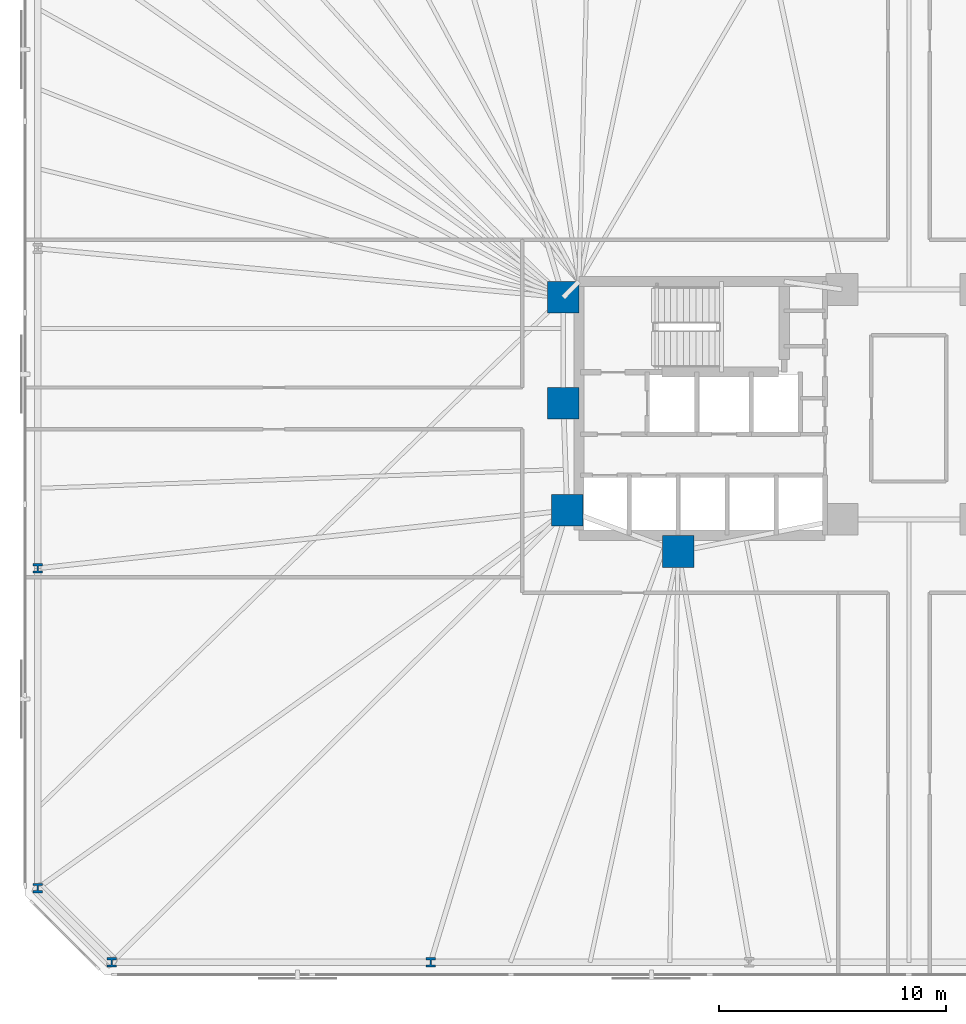
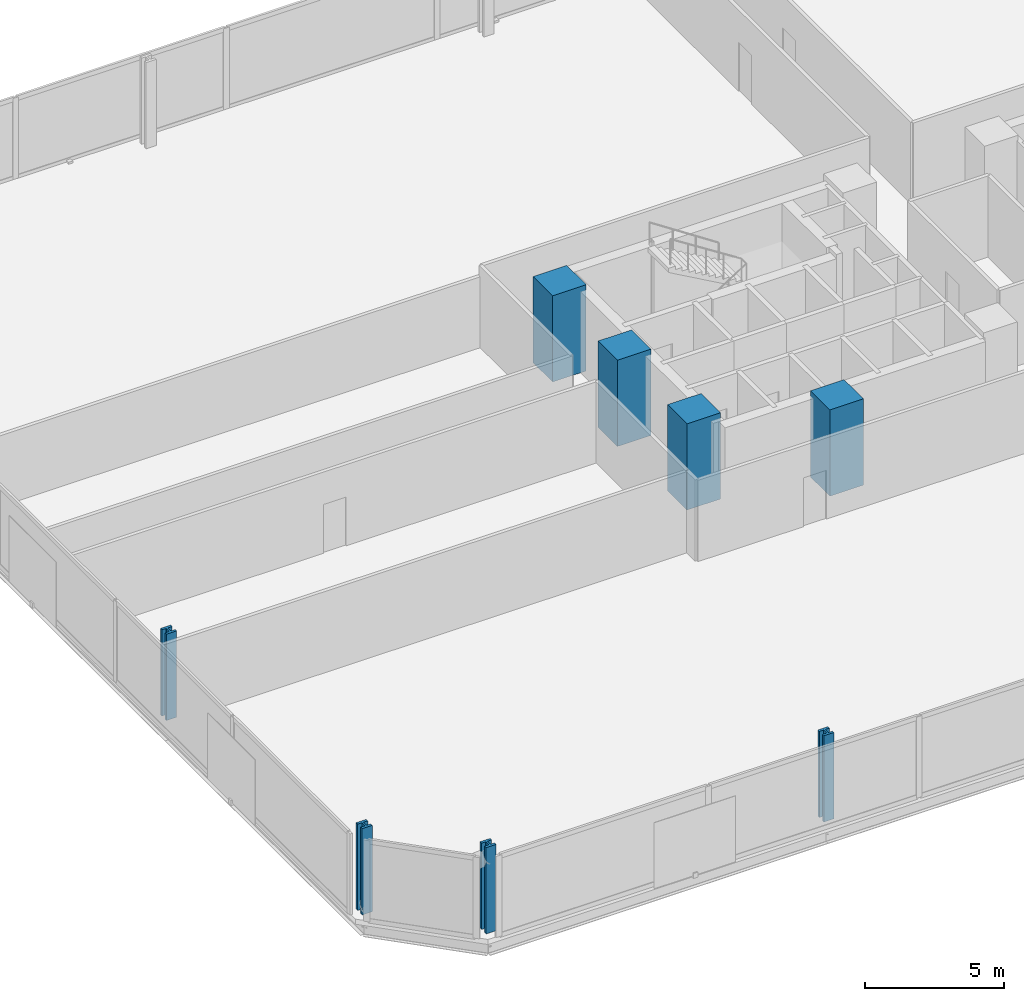
# One storey, part 1 of 16: 8 columns.
"""IFC4 building model written with IfcOpenShell, lengths in metres."""

from ifc_helpers import new_model, si_unit, direction, frame, origin, origin_2d, place, context, subcontext, project, spatial, rectangle, i_section, extrude, material, material_profile, profile_set, type_object, element, save


model = new_model("IFC4")

# Units and contexts
model_context = context("Model", 3, precision=1e-05, world=origin(), true_north=direction((0.0, 1.0)))
body_context = subcontext(model_context, "Body", "Model", "MODEL_VIEW")
ifc_project = project(units=[si_unit("LENGTHUNIT", "METRE"), si_unit("AREAUNIT", "SQUARE_METRE"), si_unit("VOLUMEUNIT", "CUBIC_METRE"), si_unit("PLANEANGLEUNIT", "RADIAN"), si_unit("MASSUNIT", "GRAM", prefix="KILO")], contexts=[model_context])

# Site, building, storey
site_placement = place(None, origin())
site = spatial("IfcSite", under=ifc_project, at=site_placement, CompositionType="ELEMENT")
building_placement = place(site_placement, origin())
building = spatial("IfcBuilding", under=site, at=building_placement, Name="Menara Jurai Vektor", CompositionType="ELEMENT")
storey_placement = place(building_placement, frame((0.0, 0.0, 67.39990234375)))
storey = spatial("IfcBuildingStorey", under=building, at=storey_placement, Name="L16", CompositionType="ELEMENT", Elevation=67.39990234375)

# Columns
ifc_material_1 = material(Name="Concrete C60/75", Category="concrete")
ifc_material_profile_1 = material_profile(ifc_material_1, rectangle(XDim=1.39990234375, YDim=1.39990234375, at=origin_2d()), Name="RC 1400x1400")
ifc_profile_set_1 = profile_set([ifc_material_profile_1], Name="Concrete C60/75")
column_type_1 = type_object("IfcColumnType", Name="STR-COL-RC1400", PredefinedType="COLUMN", material=ifc_profile_set_1)
for number, where, z_axis, x_axis, name in (
    (1, (-15.25, 4.89990234375, 0.0), (0.0, 0.0, 1.0), (1.0, 0.0, 0.0), "Core Spine Column CW-NW L16"),
    (2, (-15.25, 0.219970703125, 0.0), (0.0, 0.0, 1.0), (1.0, 0.0, 0.0), "Core Spine Column CW-WM L16"),
    (3, (-15.080078125, -4.5, 0.0), (0.0, 0.0, 1.0), (1.0, 0.0, 0.0), "Core Spine Column CW-SW L16"),
    (4, (-10.179931640625, -6.320068359375, 0.0), (0.0, 0.0, 1.0), (1.0, 0.0, 0.0), "Core Spine Column CW-SM L16"),
):
    element("IfcColumn", number, at=place(storey_placement, frame(where, z_axis=z_axis, x_axis=x_axis)), inside=storey, type_object=column_type_1, Name=name, PredefinedType="COLUMN", context=body_context, shape_type="SweptSolid", body=[
        extrude(rectangle(XDim=1.39990234375, YDim=1.39990234375, at=origin_2d()), origin(), (0.0, 0.0, 1.0), 3.800048828125),
    ])
ifc_material_2 = material(Name="Steel S460", Category="steel")
ifc_material_profile_2 = material_profile(ifc_material_2, i_section(OverallWidth=0.419921875, OverallDepth=0.430908203125, WebThickness=0.06494140625, FlangeThickness=0.10595703125, FilletRadius=0.014892578125, at=origin_2d()), Name="HD 400x900")
ifc_profile_set_2 = profile_set([ifc_material_profile_2], Name="Steel S460")
column_type_2 = type_object("IfcColumnType", Name="STR-EXO-BLK1", PredefinedType="COLUMN", material=ifc_profile_set_2)
for number, where, z_axis, x_axis, name in (
    (5, (-35.177734375, -24.449951171875, 0.0), (0.0, 0.0, 1.0), (1.0, 0.0, 0.0), "Exoskeleton Column BLK1-S1 L16"),
    (6, (-21.106689453125, -24.449951171875, 0.0), (0.0, 0.0, 1.0), (1.0, 0.0, 0.0), "Exoskeleton Column BLK1-S2 L16"),
    (7, (-38.449951171875, -7.059326171875, 0.0), (0.0, 0.0, 1.0), (1.0, 0.0, 0.0), "Exoskeleton Column BLK1-W3 L16"),
    (8, (-38.449951171875, -21.177734375, 0.0), (0.0, 0.0, 1.0), (1.0, 0.0, 0.0), "Exoskeleton Column BLK1-W4 L16"),
):
    element("IfcColumn", number, at=place(storey_placement, frame(where, z_axis=z_axis, x_axis=x_axis)), inside=storey, type_object=column_type_2, Name=name, PredefinedType="COLUMN", context=body_context, shape_type="SweptSolid", body=[
        extrude(i_section(OverallWidth=0.419921875, OverallDepth=0.430908203125, WebThickness=0.06494140625, FlangeThickness=0.10595703125, FilletRadius=0.014892578125, at=origin_2d()), origin(), (0.0, 0.0, 1.0), 3.800048828125),
    ])

save(model, "model.ifc")
